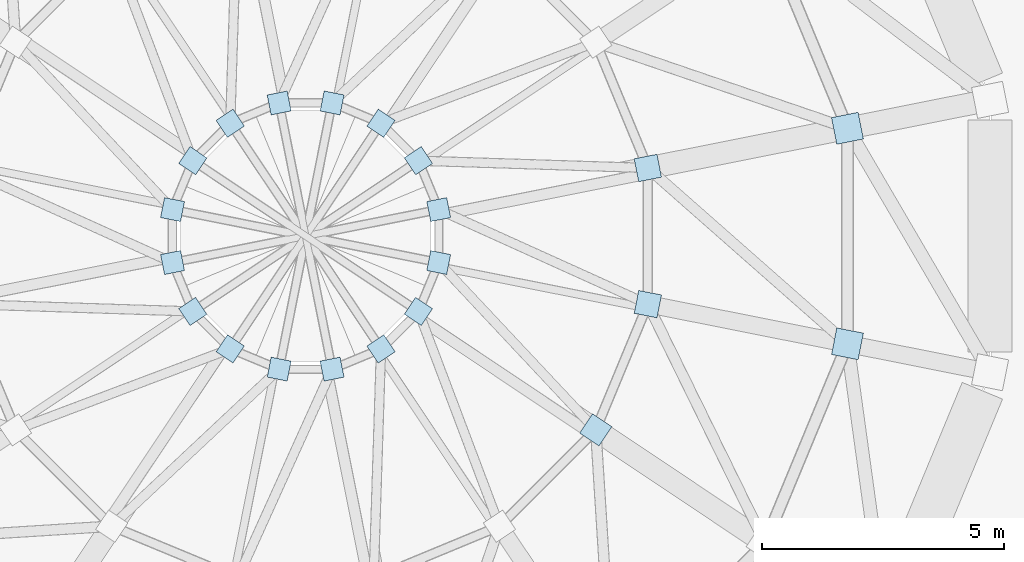
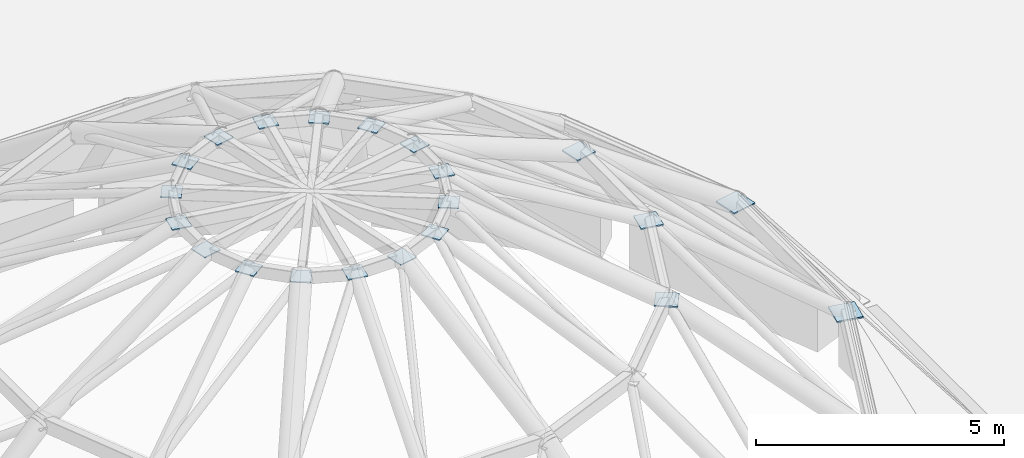
# One storey, part 19 of 32: 21 plates.
"""IFC4 building model written with IfcOpenShell, lengths in metres."""

from ifc_helpers import new_model, si_unit, direction, frame, origin, origin_2d, place, context, subcontext, project, spatial, rectangle, extrude, material, layer, layer_set, type_object, element, save


model = new_model("IFC4")

# Units and contexts
model_context = context("Model", 3, precision=1e-05, world=origin(), true_north=direction((0.0, 1.0)))
body_context = subcontext(model_context, "Body", "Model", "MODEL_VIEW")
ifc_project = project(units=[si_unit("LENGTHUNIT", "METRE"), si_unit("AREAUNIT", "SQUARE_METRE"), si_unit("VOLUMEUNIT", "CUBIC_METRE"), si_unit("PLANEANGLEUNIT", "RADIAN"), si_unit("MASSUNIT", "GRAM", prefix="KILO")], contexts=[model_context])

# Site, building, storey
site_placement = place(None, origin())
site = spatial("IfcSite", under=ifc_project, at=site_placement, CompositionType="ELEMENT")
building_placement = place(site_placement, origin())
building = spatial("IfcBuilding", under=site, at=building_placement, Name="Qiaolan Assembly House", CompositionType="ELEMENT")
storey_placement = place(building_placement, frame((0.0, 0.0, 18.60009765625)))
storey = spatial("IfcBuildingStorey", under=building, at=storey_placement, Name="L04", CompositionType="ELEMENT", Elevation=18.60009765625)

# Plates
ifc_material = material(Name="Steel Q355B", Category="steel")
ifc_layer_1 = layer(ifc_material, 0.034912109375)
ifc_layer_set_1 = layer_set([ifc_layer_1], Name="Steel Q355B")
plate_type_1 = type_object("IfcPlateType", Name="PLT-NODE-DN2-RING", PredefinedType="SHEET", material=ifc_layer_set_1)
for number, where, z_axis, x_axis, name in (
    (1, (79.5810546875, 63.424072265625, 3.7822265625), (0.0, 0.0, 1.0), (0.980785280403, 0.195090322016, 0.0), "DN2 dome steel node and end-cap assembly T1-1"),
    (2, (79.5810546875, 58.97607421875, 3.7822265625), (0.0, 0.0, 1.0), (0.980785280403, -0.195090322016, 0.0), "DN2 dome steel node and end-cap assembly T1-16"),
):
    element("IfcPlate", number, at=place(storey_placement, frame(where, z_axis=z_axis, x_axis=x_axis)), inside=storey, type_object=plate_type_1, Name=name, PredefinedType="SHEET", context=body_context, shape_type="SweptSolid", body=[
        extrude(rectangle(XDim=0.56005859375, YDim=0.56005859375, at=origin_2d()), origin(), (0.0, 0.0, 1.0), 0.034912109375),
    ])
ifc_layer_2 = layer(ifc_material, 0.031005859375)
ifc_layer_set_2 = layer_set([ifc_layer_2], Name="Steel Q355B")
plate_type_2 = type_object("IfcPlateType", Name="PLT-NODE-DN3-UPPER", PredefinedType="SHEET", material=ifc_layer_set_2)
for number, where, z_axis, x_axis, name in (
    (3, (75.461669921875, 62.604736328125, 6.984375), (0.0, 0.0, 1.0), (0.980785280403, 0.195090322016, 0.0), "DN3 dome steel node and end-cap assembly T2-1"),
    (4, (74.386474609375, 57.199951171875, 6.984375), (0.0, 0.0, 1.0), (0.831469612303, -0.55557023302, 0.0), "DN3 dome steel node and end-cap assembly T2-15"),
    (5, (75.461669921875, 59.79541015625, 6.984375), (0.0, 0.0, 1.0), (0.980785280403, -0.195090322016, 0.0), "DN3 dome steel node and end-cap assembly T2-16"),
):
    element("IfcPlate", number, at=place(storey_placement, frame(where, z_axis=z_axis, x_axis=x_axis)), inside=storey, type_object=plate_type_2, Name=name, PredefinedType="SHEET", context=body_context, shape_type="SweptSolid", body=[
        extrude(rectangle(XDim=0.47998046875, YDim=0.47998046875, at=origin_2d()), origin(), (0.0, 0.0, 1.0), 0.031005859375),
    ])
ifc_layer_3 = layer(ifc_material, 0.027099609375)
ifc_layer_set_3 = layer_set([ifc_layer_3], Name="Steel Q355B")
plate_type_3 = type_object("IfcPlateType", Name="PLT-NODE-DN4-CROWN", PredefinedType="SHEET", material=ifc_layer_set_3)
for number, where, z_axis, x_axis, name in (
    (6, (71.146240234375, 61.746337890625, 9.1865234375), (0.0, 0.0, 1.0), (0.980785280403, 0.195090322016, 0.0), "DN4 dome steel node and end-cap assembly T3-1"),
    (7, (70.72802734375, 62.755615234375, 9.1865234375), (0.0, 0.0, 1.0), (0.831469612303, 0.55557023302, 0.0), "DN4 dome steel node and end-cap assembly T3-2"),
    (8, (69.95556640625, 63.528076171875, 9.1865234375), (0.0, 0.0, 1.0), (0.55557023302, 0.831469612303, 0.0), "DN4 dome steel node and end-cap assembly T3-3"),
    (9, (68.9462890625, 63.9462890625, 9.1865234375), (0.0, 0.0, 1.0), (0.195090322016, 0.980785280403, 0.0), "DN4 dome steel node and end-cap assembly T3-4"),
    (10, (67.853759765625, 63.9462890625, 9.1865234375), (0.0, 0.0, 1.0), (-0.195090322016, 0.980785280403, 0.0), "DN4 dome steel node and end-cap assembly T3-5"),
    (11, (66.844482421875, 63.528076171875, 9.1865234375), (0.0, 0.0, 1.0), (-0.55557023302, 0.831469612303, 0.0), "DN4 dome steel node and end-cap assembly T3-6"),
    (12, (66.07177734375, 62.755615234375, 9.1865234375), (0.0, 0.0, 1.0), (-0.831469612303, 0.55557023302, 0.0), "DN4 dome steel node and end-cap assembly T3-7"),
    (13, (65.65380859375, 61.746337890625, 9.1865234375), (0.0, 0.0, 1.0), (-0.980785280403, 0.195090322016, 0.0), "DN4 dome steel node and end-cap assembly T3-8"),
    (14, (65.65380859375, 60.65380859375, 9.1865234375), (0.0, 0.0, 1.0), (-0.980785280403, -0.195090322016, 0.0), "DN4 dome steel node and end-cap assembly T3-9"),
    (15, (66.07177734375, 59.644287109375, 9.1865234375), (0.0, 0.0, 1.0), (-0.831469612303, -0.55557023302, 0.0), "DN4 dome steel node and end-cap assembly T3-10"),
    (16, (66.844482421875, 58.871826171875, 9.1865234375), (0.0, 0.0, 1.0), (-0.55557023302, -0.831469612303, 0.0), "DN4 dome steel node and end-cap assembly T3-11"),
    (17, (67.853759765625, 58.453857421875, 9.1865234375), (0.0, 0.0, 1.0), (-0.195090322016, -0.980785280403, 0.0), "DN4 dome steel node and end-cap assembly T3-12"),
    (18, (68.9462890625, 58.453857421875, 9.1865234375), (0.0, 0.0, 1.0), (0.195090322016, -0.980785280403, 0.0), "DN4 dome steel node and end-cap assembly T3-13"),
    (19, (69.95556640625, 58.871826171875, 9.1865234375), (0.0, 0.0, 1.0), (0.55557023302, -0.831469612303, 0.0), "DN4 dome steel node and end-cap assembly T3-14"),
    (20, (70.72802734375, 59.644287109375, 9.1865234375), (0.0, 0.0, 1.0), (0.831469612303, -0.55557023302, 0.0), "DN4 dome steel node and end-cap assembly T3-15"),
    (21, (71.146240234375, 60.65380859375, 9.1865234375), (0.0, 0.0, 1.0), (0.980785280403, -0.195090322016, 0.0), "DN4 dome steel node and end-cap assembly T3-16"),
):
    element("IfcPlate", number, at=place(storey_placement, frame(where, z_axis=z_axis, x_axis=x_axis)), inside=storey, type_object=plate_type_3, Name=name, PredefinedType="SHEET", context=body_context, shape_type="SweptSolid", body=[
        extrude(rectangle(XDim=0.419921875, YDim=0.419921875, at=origin_2d()), origin(), (0.0, 0.0, 1.0), 0.027099609375),
    ])

save(model, "model.ifc")
